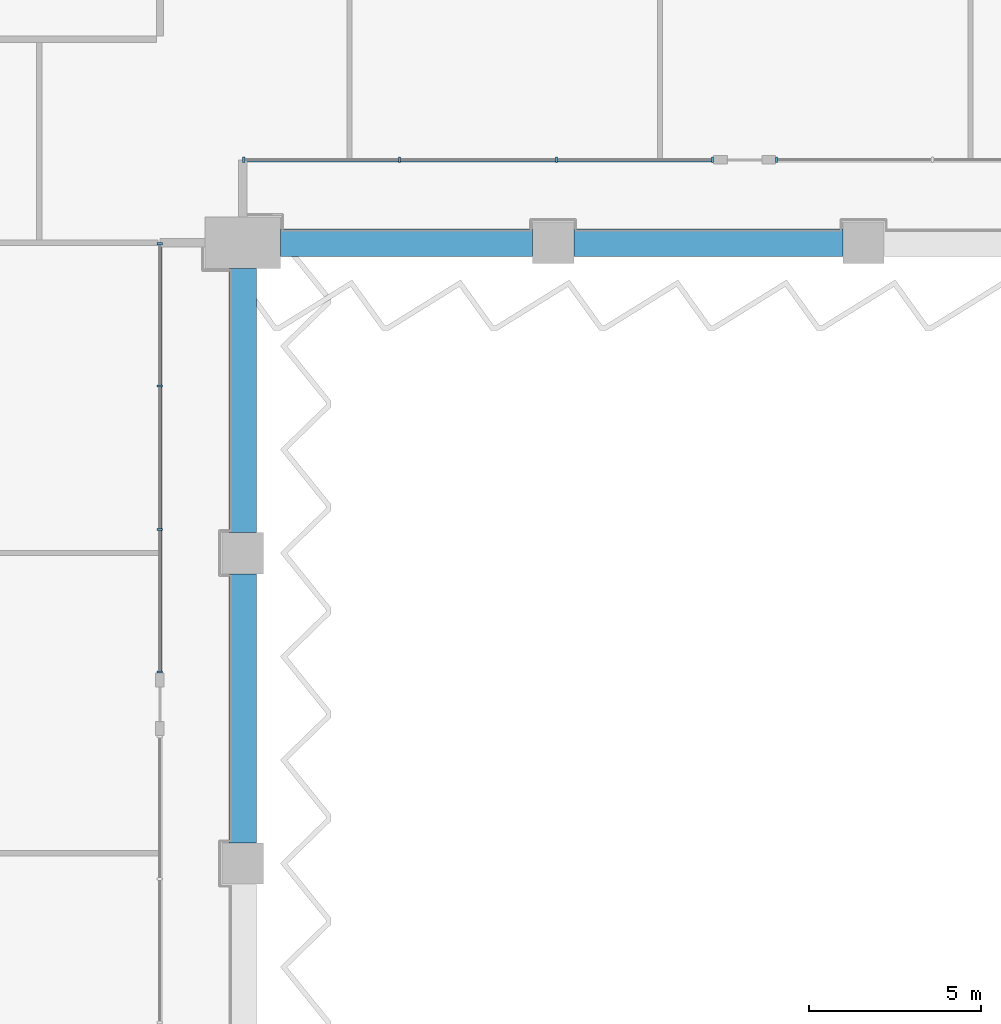
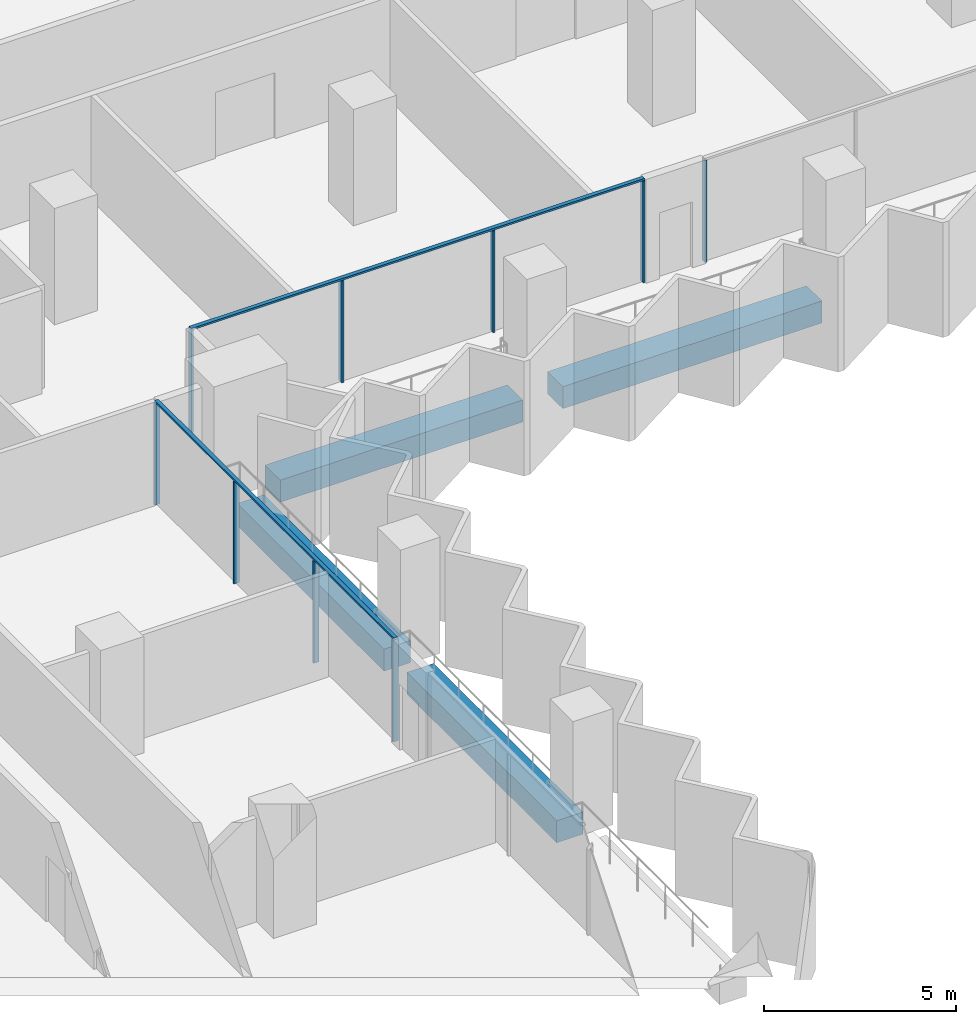
# One storey, part 4 of 22: 11 members, 4 beams, 3 elements without a shape of their own.
"""IFC4 building model written with IfcOpenShell, lengths in metres."""

from ifc_helpers import new_model, si_unit, direction, frame, origin, origin_2d, place, context, subcontext, project, spatial, rectangle, extrude, material, material_profile, profile_set, type_object, element, aggregate, save


model = new_model("IFC4")

# Units and contexts
model_context = context("Model", 3, precision=1e-05, world=origin(), true_north=direction((0.0, 1.0)))
body_context = subcontext(model_context, "Body", "Model", "MODEL_VIEW")
ifc_project = project(units=[si_unit("LENGTHUNIT", "METRE"), si_unit("AREAUNIT", "SQUARE_METRE"), si_unit("VOLUMEUNIT", "CUBIC_METRE"), si_unit("PLANEANGLEUNIT", "RADIAN"), si_unit("MASSUNIT", "GRAM", prefix="KILO")], contexts=[model_context])

# Site, building, storey
site_placement = place(None, origin())
site = spatial("IfcSite", under=ifc_project, at=site_placement, CompositionType="ELEMENT")
building_placement = place(site_placement, origin())
building = spatial("IfcBuilding", under=site, at=building_placement, Name="Hunhe Ridgeline Campus", CompositionType="ELEMENT")
storey_placement = place(building_placement, frame((0.0, 0.0, 88.5)))
storey = spatial("IfcBuildingStorey", under=building, at=storey_placement, Name="L21", CompositionType="ELEMENT", Elevation=88.5)

# Curtain wall, members
ifc_material_1 = material(Name="Aluminium 6063", Category="aluminium")
curtain_wall_type = type_object("IfcCurtainWallType", Name="Curtain wall CW-1", PredefinedType="NOTDEFINED", material=ifc_material_1)
curtain_wall_1_placement = place(storey_placement, origin())
curtain_wall_1 = element("IfcCurtainWall", 1, at=curtain_wall_1_placement, inside=storey, type_object=curtain_wall_type, Name="Curtain wall 12", PredefinedType="NOTDEFINED")
ifc_material_profile_1 = material_profile(ifc_material_1, rectangle(XDim=0.159912109375, YDim=0.06005859375, at=origin_2d()))
ifc_profile_set_1 = profile_set([ifc_material_profile_1], Name="Aluminium 6063")
member_type_1 = type_object("IfcMemberType", Name="CW-1 aluminium mullion", PredefinedType="MULLION", material=ifc_profile_set_1)
member_1_placement = place(storey_placement, frame((42.59912109375, 41.548583984375, 0.0), z_axis=(0.0, 0.0, 1.0), x_axis=(-0.99999999994, 1.0975712e-05, 0.0)))
member_1 = element("IfcMember", 2, at=member_1_placement, type_object=member_type_1, Name="CW-1 mullion 1", PredefinedType="MULLION", context=body_context, shape_type="SweptSolid", body=[
    extrude(rectangle(XDim=0.159912109375, YDim=0.06005859375, at=origin_2d()), origin(), (0.0, 0.0, 1.0), 3.239990234375),
])
member_2_placement = place(storey_placement, frame((42.59912109375, 45.67919921875, 0.0), z_axis=(0.0, 0.0, 1.0), x_axis=(-0.99999999994, 1.0975712e-05, 0.0)))
member_2 = element("IfcMember", 3, at=member_2_placement, type_object=member_type_1, Name="CW-1 mullion 2", PredefinedType="MULLION", context=body_context, shape_type="SweptSolid", body=[
    extrude(rectangle(XDim=0.159912109375, YDim=0.06005859375, at=origin_2d()), origin(), (0.0, 0.0, 1.0), 3.239990234375),
])
member_3_placement = place(storey_placement, frame((42.599365234375, 49.840087890625, 0.0), z_axis=(0.0, 0.0, 1.0), x_axis=(-0.99999999994, 1.0975712e-05, 0.0)))
member_3 = element("IfcMember", 4, at=member_3_placement, type_object=member_type_1, Name="CW-1 mullion 3", PredefinedType="MULLION", context=body_context, shape_type="SweptSolid", body=[
    extrude(rectangle(XDim=0.159912109375, YDim=0.06005859375, at=origin_2d()), origin(), (0.0, 0.0, 1.0), 3.239990234375),
])
member_4_placement = place(storey_placement, frame((42.599365234375, 53.970703125, 0.0), z_axis=(0.0, 0.0, 1.0), x_axis=(-0.99999999994, 1.0975712e-05, 0.0)))
member_4 = element("IfcMember", 5, at=member_4_placement, type_object=member_type_1, Name="CW-1 mullion 4", PredefinedType="MULLION", context=body_context, shape_type="SweptSolid", body=[
    extrude(rectangle(XDim=0.159912109375, YDim=0.06005859375, at=origin_2d()), origin(), (0.0, 0.0, 1.0), 3.239990234375),
])

curtain_wall_2_placement = place(storey_placement, origin())
curtain_wall_2 = element("IfcCurtainWall", 6, at=curtain_wall_2_placement, inside=storey, type_object=curtain_wall_type, Name="Curtain wall 13", PredefinedType="NOTDEFINED")
member_5_placement = place(storey_placement, frame((45.02978515625, 56.40087890625, 0.0), z_axis=(0.0, 0.0, 1.0), x_axis=(-1.4652e-07, 1.0, 0.0)))
member_5 = element("IfcMember", 7, at=member_5_placement, type_object=member_type_1, Name="CW-1 mullion 1", PredefinedType="MULLION", context=body_context, shape_type="SweptSolid", body=[
    extrude(rectangle(XDim=0.159912109375, YDim=0.06005859375, at=origin_2d()), origin(), (0.0, 0.0, 1.0), 3.239990234375),
])
member_6_placement = place(storey_placement, frame((49.5498046875, 56.40087890625, 0.0), z_axis=(0.0, 0.0, 1.0), x_axis=(-1.4652e-07, 1.0, 0.0)))
member_6 = element("IfcMember", 8, at=member_6_placement, type_object=member_type_1, Name="CW-1 mullion 2", PredefinedType="MULLION", context=body_context, shape_type="SweptSolid", body=[
    extrude(rectangle(XDim=0.159912109375, YDim=0.06005859375, at=origin_2d()), origin(), (0.0, 0.0, 1.0), 3.239990234375),
])
member_7_placement = place(storey_placement, frame((54.099609375, 56.40087890625, 0.0), z_axis=(0.0, 0.0, 1.0), x_axis=(-1.4652e-07, 1.0, 0.0)))
member_7 = element("IfcMember", 9, at=member_7_placement, type_object=member_type_1, Name="CW-1 mullion 3", PredefinedType="MULLION", context=body_context, shape_type="SweptSolid", body=[
    extrude(rectangle(XDim=0.159912109375, YDim=0.06005859375, at=origin_2d()), origin(), (0.0, 0.0, 1.0), 3.239990234375),
])
member_8_placement = place(storey_placement, frame((58.619384765625, 56.40087890625, 0.0), z_axis=(0.0, 0.0, 1.0), x_axis=(-1.4652e-07, 1.0, 0.0)))
member_8 = element("IfcMember", 10, at=member_8_placement, type_object=member_type_1, Name="CW-1 mullion 4", PredefinedType="MULLION", context=body_context, shape_type="SweptSolid", body=[
    extrude(rectangle(XDim=0.159912109375, YDim=0.06005859375, at=origin_2d()), origin(), (0.0, 0.0, 1.0), 3.239990234375),
])

# Curtain wall, member
curtain_wall_3_placement = place(storey_placement, origin())
curtain_wall_3 = element("IfcCurtainWall", 11, at=curtain_wall_3_placement, inside=storey, type_object=curtain_wall_type, Name="Curtain wall 14", PredefinedType="NOTDEFINED")
member_9_placement = place(storey_placement, frame((60.4794921875, 56.40087890625, 0.0), z_axis=(0.0, 0.0, 1.0), x_axis=(-1.4652e-07, 1.0, 0.0)))
member_9 = element("IfcMember", 12, at=member_9_placement, type_object=member_type_1, Name="CW-1 mullion 1", PredefinedType="MULLION", context=body_context, shape_type="SweptSolid", body=[
    extrude(rectangle(XDim=0.159912109375, YDim=0.06005859375, at=origin_2d()), origin(), (0.0, 0.0, 1.0), 3.239990234375),
])
aggregate(curtain_wall_3, [member_9])

# Member
ifc_material_profile_2 = material_profile(ifc_material_1, rectangle(XDim=0.1201171875, YDim=0.06005859375, at=origin_2d()))
ifc_profile_set_2 = profile_set([ifc_material_profile_2], Name="Aluminium 6063")
member_type_2 = type_object("IfcMemberType", Name="CW-1 aluminium transom", PredefinedType="USERDEFINED", material=ifc_profile_set_2)
member_10_placement = place(storey_placement, frame((42.59912109375, 41.5185546875, 3.27001953125), z_axis=(1.9559137e-05, 0.999999999809, 0.0), x_axis=(-0.999999999809, 1.9559137e-05, 0.0)))
member_10 = element("IfcMember", 13, at=member_10_placement, type_object=member_type_2, Name="CW-1 transom 1", ObjectType="TRANSOM", PredefinedType="USERDEFINED", context=body_context, shape_type="SweptSolid", body=[
    extrude(rectangle(XDim=0.1201171875, YDim=0.06005859375, at=origin_2d()), origin(), (0.0, 0.0, 1.0), 12.482177734375),
])

aggregate(curtain_wall_1, [member_10, member_1, member_2, member_3, member_4])

member_11_placement = place(storey_placement, frame((45.0, 56.40087890625, 3.27001953125), z_axis=(1.0, 0.0, 0.0), x_axis=(0.0, 1.0, 0.0)))
member_11 = element("IfcMember", 14, at=member_11_placement, type_object=member_type_2, Name="CW-1 transom 1", ObjectType="TRANSOM", PredefinedType="USERDEFINED", context=body_context, shape_type="SweptSolid", body=[
    extrude(rectangle(XDim=0.1201171875, YDim=0.06005859375, at=origin_2d()), origin(), (0.0, 0.0, 1.0), 13.6494140625),
])

aggregate(curtain_wall_2, [member_11, member_5, member_6, member_7, member_8])

# Beams
ifc_material_2 = material(Name="Concrete C60", Category="concrete")
ifc_material_profile_3 = material_profile(ifc_material_2, rectangle(XDim=0.800048828125, YDim=0.699951171875, at=origin_2d()))
ifc_profile_set_3 = profile_set([ifc_material_profile_3], Name="Concrete C60")
beam_type = type_object("IfcBeamType", Name="RC spandrel beam 800x700 Concrete C60", PredefinedType="SPANDREL", material=ifc_profile_set_3)
beam_1_placement = place(storey_placement, frame((45.0, 36.60009765625, -0.60009765625), z_axis=(0.0, 1.0, 0.0), x_axis=(-1.0, 0.0, 0.0)))
element("IfcBeam", 15, at=beam_1_placement, inside=storey, type_object=beam_type, Name="Spandrel beam B1-10 L21", PredefinedType="SPANDREL", context=body_context, shape_type="SweptSolid", body=[
    extrude(rectangle(XDim=0.800048828125, YDim=0.699951171875, at=origin_2d()), origin(), (0.0, 0.0, 1.0), 7.7998046875),
])
beam_2_placement = place(storey_placement, frame((45.0, 45.60009765625, -0.60009765625), z_axis=(0.0, 1.0, 0.0), x_axis=(-1.0, 0.0, 0.0)))
element("IfcBeam", 16, at=beam_2_placement, inside=storey, type_object=beam_type, Name="Spandrel beam B1-11 L21", PredefinedType="SPANDREL", context=body_context, shape_type="SweptSolid", body=[
    extrude(rectangle(XDim=0.800048828125, YDim=0.699951171875, at=origin_2d()), origin(), (0.0, 0.0, 1.0), 7.64990234375),
])
beam_3_placement = place(storey_placement, frame((46.10009765625, 54.0, -0.60009765625), z_axis=(1.0, 0.0, 0.0), x_axis=(0.0, 1.0, 0.0)))
element("IfcBeam", 17, at=beam_3_placement, inside=storey, type_object=beam_type, Name="Spandrel beam B1-12 L21", PredefinedType="SPANDREL", context=body_context, shape_type="SweptSolid", body=[
    extrude(rectangle(XDim=0.800048828125, YDim=0.699951171875, at=origin_2d()), origin(), (0.0, 0.0, 1.0), 7.2998046875),
])
beam_4_placement = place(storey_placement, frame((54.60009765625, 54.0, -0.60009765625), z_axis=(1.0, 0.0, 0.0), x_axis=(0.0, 1.0, 0.0)))
element("IfcBeam", 18, at=beam_4_placement, inside=storey, type_object=beam_type, Name="Spandrel beam B1-13 L21", PredefinedType="SPANDREL", context=body_context, shape_type="SweptSolid", body=[
    extrude(rectangle(XDim=0.800048828125, YDim=0.699951171875, at=origin_2d()), origin(), (0.0, 0.0, 1.0), 7.7998046875),
])

save(model, "model.ifc")
